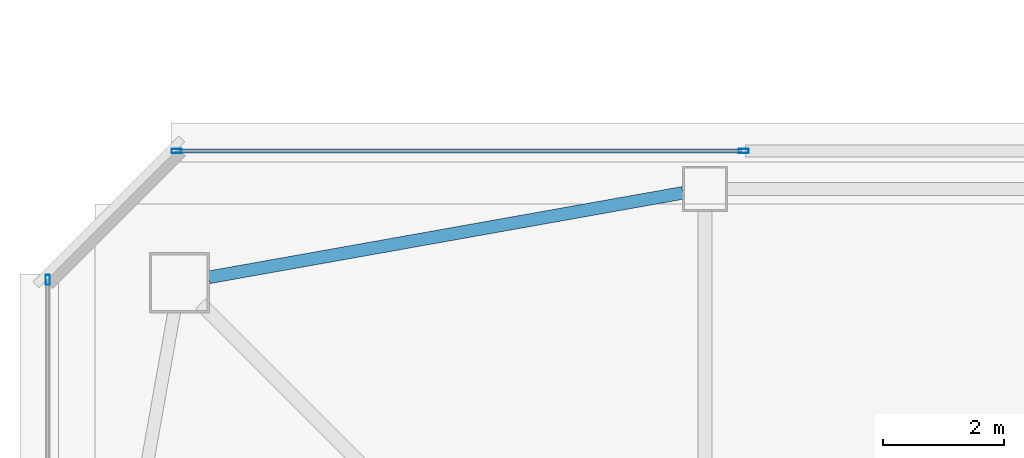
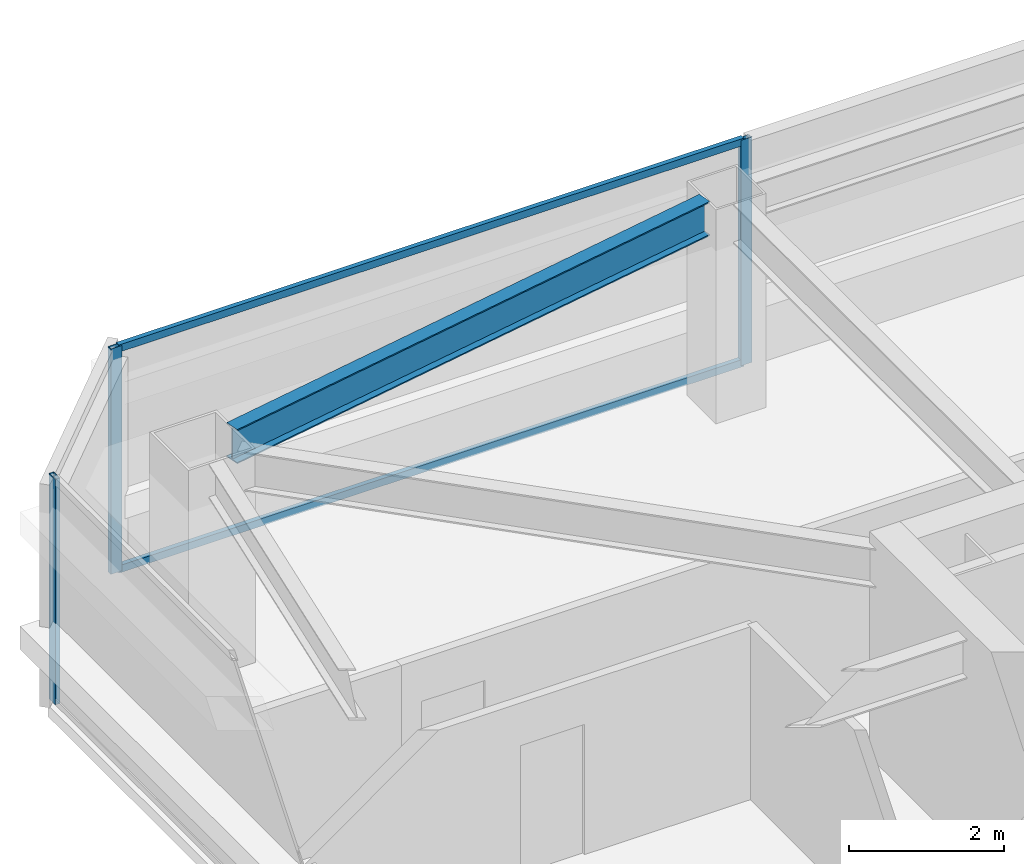
# One storey, part 13 of 39: 5 members, 1 beam, 2 elements without a shape of their own.
"""IFC4 building model written with IfcOpenShell, lengths in metres."""

from ifc_helpers import new_model, si_unit, direction, frame, origin, origin_2d, place, context, subcontext, project, spatial, hollow_rectangle, i_section, extrude, material, material_profile, profile_set, type_object, element, aggregate, save


model = new_model("IFC4")

# Units and contexts
model_context = context("Model", 3, precision=1e-05, world=origin(), true_north=direction((0.0, 1.0)))
body_context = subcontext(model_context, "Body", "Model", "MODEL_VIEW")
ifc_project = project(units=[si_unit("LENGTHUNIT", "METRE"), si_unit("AREAUNIT", "SQUARE_METRE"), si_unit("VOLUMEUNIT", "CUBIC_METRE"), si_unit("PLANEANGLEUNIT", "RADIAN"), si_unit("MASSUNIT", "GRAM", prefix="KILO")], contexts=[model_context])

# Site, building, storey
site_placement = place(None, origin())
site = spatial("IfcSite", under=ifc_project, at=site_placement, CompositionType="ELEMENT")
building_placement = place(site_placement, origin())
building = spatial("IfcBuilding", under=site, at=building_placement, Name="Tashvorn Skyway Center", CompositionType="ELEMENT")
storey_placement = place(building_placement, frame((0.0, 0.0, 207.75)))
storey = spatial("IfcBuildingStorey", under=building, at=storey_placement, Name="L56", CompositionType="ELEMENT", Elevation=207.75)

# Beam
ifc_material_1 = material(Name="Steel ASTM A992 Grade 50", Category="steel")
ifc_material_profile_1 = material_profile(ifc_material_1, i_section(OverallWidth=0.2109375, OverallDepth=0.5390625, WebThickness=0.01171875, FlangeThickness=0.018798828125, at=origin_2d()), Name="W21X73")
ifc_profile_set_1 = profile_set([ifc_material_profile_1], Name="Steel ASTM A992 Grade 50")
beam_type = type_object("IfcBeamType", Name="BM-SPANDREL-W21X73", PredefinedType="SPANDREL", material=ifc_profile_set_1)
beam_placement = place(storey_placement, frame((36.23583984375, 47.585205078125, 3.1005859375), z_axis=(-0.984494883191, -0.17541329759, 0.0), x_axis=(0.17541329759, -0.984494883191, 0.0)))
element("IfcBeam", 1, at=beam_placement, inside=storey, type_object=beam_type, Name="Tower 1 L56 Spandrel Beam 09", PredefinedType="SPANDREL", context=body_context, shape_type="SweptSolid", body=[
    extrude(i_section(OverallWidth=0.2109375, OverallDepth=0.5390625, WebThickness=0.01171875, FlangeThickness=0.018798828125, at=origin_2d()), origin(), (0.0, 0.0, 1.0), 7.97216796875),
])

# Curtain wall, member
ifc_material_2 = material(Name="Thermally broken bronze-anodized aluminium 6063-T6", Category="aluminium")
curtain_wall_type = type_object("IfcCurtainWallType", Name="CW-CW-Z5", PredefinedType="NOTDEFINED", material=ifc_material_2)
curtain_wall_1_placement = place(storey_placement, origin())
curtain_wall_1 = element("IfcCurtainWall", 2, at=curtain_wall_1_placement, inside=storey, type_object=curtain_wall_type, Name="Tower 1 L56 West Unitised Curtain Wall Glazing Group 2", PredefinedType="NOTDEFINED")
ifc_material_profile_2 = material_profile(ifc_material_2, hollow_rectangle(XDim=0.070068359375, YDim=0.1650390625, WallThickness=0.00390625, at=origin_2d()), Name="ALU-MULL-70x165")
ifc_profile_set_2 = profile_set([ifc_material_profile_2], Name="Thermally broken bronze-anodized aluminium 6063-T6")
member_type_1 = type_object("IfcMemberType", Name="CWM-CW-Z5", PredefinedType="MULLION", material=ifc_profile_set_2)
member_1_placement = place(storey_placement, frame((25.719970703125, 46.14501953125, 0.0), z_axis=(0.0, 0.0, 1.0), x_axis=(-1.0, 0.0, 0.0)))
member_1 = element("IfcMember", 3, at=member_1_placement, type_object=member_type_1, Name="CW-Z5 mullion 2", PredefinedType="MULLION", context=body_context, shape_type="SweptSolid", body=[
    extrude(hollow_rectangle(XDim=0.070068359375, YDim=0.1650390625, WallThickness=0.00390625, at=origin_2d()), origin(), (0.0, 0.0, 1.0), 3.550048828125),
])
aggregate(curtain_wall_1, [member_1])

# Curtain wall, members
curtain_wall_2_placement = place(storey_placement, origin())
curtain_wall_2 = element("IfcCurtainWall", 4, at=curtain_wall_2_placement, inside=storey, type_object=curtain_wall_type, Name="Tower 1 L56 North Unitised Curtain Wall Glazing Group 1", PredefinedType="NOTDEFINED")
member_2_placement = place(storey_placement, frame((27.85498046875, 48.280029296875, 0.0), z_axis=(0.0, 0.0, 1.0), x_axis=(0.0, 1.0, 0.0)))
member_2 = element("IfcMember", 5, at=member_2_placement, type_object=member_type_1, Name="CW-Z5 mullion 1", PredefinedType="MULLION", context=body_context, shape_type="SweptSolid", body=[
    extrude(hollow_rectangle(XDim=0.070068359375, YDim=0.1650390625, WallThickness=0.00390625, at=origin_2d()), origin(), (0.0, 0.0, 1.0), 3.550048828125),
])
member_3_placement = place(storey_placement, frame((37.23828125, 48.280029296875, 0.0), z_axis=(0.0, 0.0, 1.0), x_axis=(0.0, 1.0, 0.0)))
member_3 = element("IfcMember", 6, at=member_3_placement, type_object=member_type_1, Name="CW-Z5 mullion 2", PredefinedType="MULLION", context=body_context, shape_type="SweptSolid", body=[
    extrude(hollow_rectangle(XDim=0.070068359375, YDim=0.1650390625, WallThickness=0.00390625, at=origin_2d()), origin(), (0.0, 0.0, 1.0), 3.550048828125),
])
ifc_material_profile_3 = material_profile(ifc_material_2, hollow_rectangle(XDim=0.070068359375, YDim=0.114990234375, WallThickness=0.00390625, at=origin_2d()), Name="ALU-TRAN-70x115")
ifc_profile_set_3 = profile_set([ifc_material_profile_3], Name="Thermally broken bronze-anodized aluminium 6063-T6")
member_type_2 = type_object("IfcMemberType", Name="CWT-CW-Z5", PredefinedType="USERDEFINED", material=ifc_profile_set_3)
member_4_placement = place(storey_placement, frame((27.889892578125, 48.280029296875, 0.034912109375), z_axis=(1.0, 0.0, 0.0), x_axis=(0.0, 1.0, 0.0)))
member_4 = element("IfcMember", 7, at=member_4_placement, type_object=member_type_2, Name="CW-Z5 transom 1.1", ObjectType="TRANSOM", PredefinedType="USERDEFINED", context=body_context, shape_type="SweptSolid", body=[
    extrude(hollow_rectangle(XDim=0.070068359375, YDim=0.114990234375, WallThickness=0.00390625, at=origin_2d()), origin(), (0.0, 0.0, 1.0), 9.3134765625),
])
member_5_placement = place(storey_placement, frame((27.889892578125, 48.280029296875, 3.514892578125), z_axis=(1.0, 0.0, 0.0), x_axis=(0.0, 1.0, 0.0)))
member_5 = element("IfcMember", 8, at=member_5_placement, type_object=member_type_2, Name="CW-Z5 transom 1.2", ObjectType="TRANSOM", PredefinedType="USERDEFINED", context=body_context, shape_type="SweptSolid", body=[
    extrude(hollow_rectangle(XDim=0.070068359375, YDim=0.114990234375, WallThickness=0.00390625, at=origin_2d()), origin(), (0.0, 0.0, 1.0), 9.3134765625),
])
aggregate(curtain_wall_2, [member_2, member_3, member_4, member_5])

save(model, "model.ifc")
